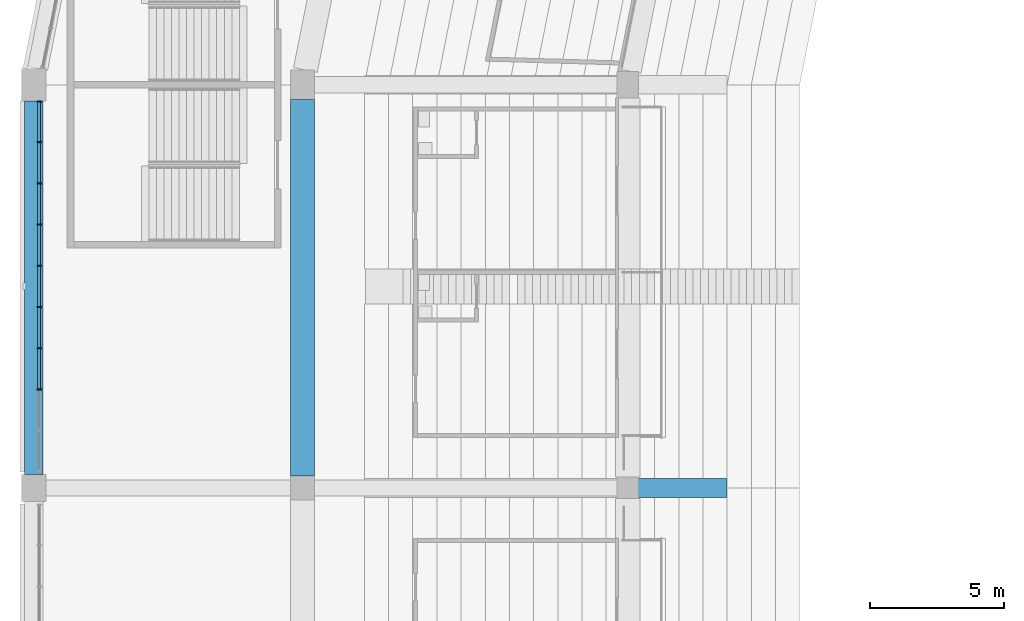
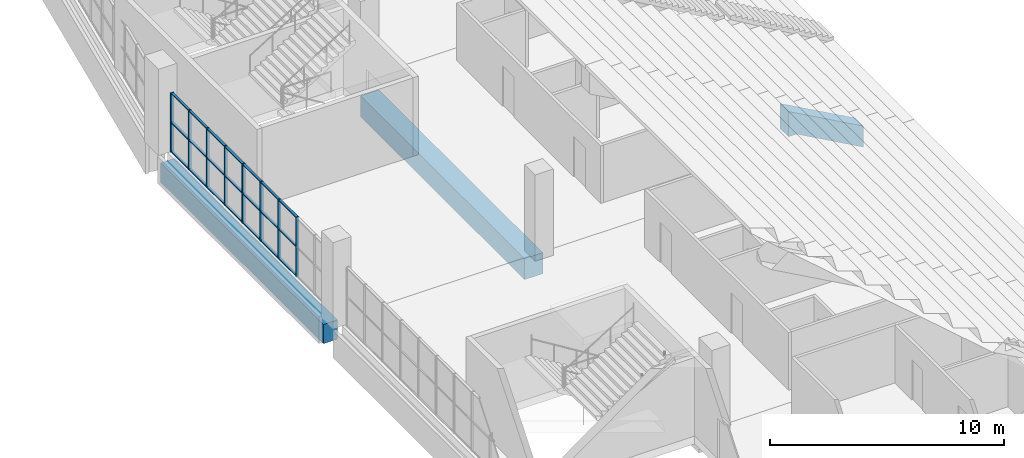
# One storey, part 40 of 249: 29 members, 3 beams, 1 element without a shape of its own.
"""IFC4 building model written with IfcOpenShell, lengths in metres."""

from ifc_helpers import new_model, si_unit, direction, frame, origin, origin_2d, place, context, subcontext, project, spatial, polyline, rectangle, outline, extrude, material, material_profile, profile_set, type_object, element, aggregate, save


model = new_model("IFC4")

# Units and contexts
model_context = context("Model", 3, precision=1e-05, world=origin(), true_north=direction((0.0, 1.0)))
body_context = subcontext(model_context, "Body", "Model", "MODEL_VIEW")
ifc_project = project(units=[si_unit("LENGTHUNIT", "METRE"), si_unit("AREAUNIT", "SQUARE_METRE"), si_unit("VOLUMEUNIT", "CUBIC_METRE"), si_unit("PLANEANGLEUNIT", "RADIAN"), si_unit("MASSUNIT", "GRAM", prefix="KILO")], contexts=[model_context])

# Site, building, storey
site_placement = place(None, origin())
site = spatial("IfcSite", under=ifc_project, at=site_placement, CompositionType="ELEMENT")
building_placement = place(site_placement, origin())
building = spatial("IfcBuilding", under=site, at=building_placement, Name="Ogive Plaza Stadium", CompositionType="ELEMENT")
storey_placement = place(building_placement, frame((0.0, 0.0, 13.5)))
storey = spatial("IfcBuildingStorey", under=building, at=storey_placement, Name="L03", CompositionType="ELEMENT", Elevation=13.5)

# Curtain wall, members
ifc_material_1 = material(Name="Bronze-anodised aluminium with laminated glass", Category="aluminium")
curtain_wall_type = type_object("IfcCurtainWallType", Name="Lancet curtain wall", PredefinedType="NOTDEFINED", material=ifc_material_1)
curtain_wall_placement = place(storey_placement, origin())
curtain_wall = element("IfcCurtainWall", 1, at=curtain_wall_placement, inside=storey, type_object=curtain_wall_type, Name="CURTAIN WALL B27 L03", PredefinedType="NOTDEFINED")
ifc_material_2 = material(Name="Bronze-anodised aluminium", Category="aluminium")
ifc_material_profile_1 = material_profile(ifc_material_2, rectangle(XDim=0.14990234375, YDim=0.050048828125, at=origin_2d()), Name="AL 150x50")
ifc_profile_set_1 = profile_set([ifc_material_profile_1], Name="Bronze-anodised aluminium")
member_type_1 = type_object("IfcMemberType", Name="Curtain wall mullion 50x150", PredefinedType="MULLION", material=ifc_profile_set_1)
member_1_placement = place(storey_placement, frame((-83.800048828125, 41.166748046875, 0.0), z_axis=(0.0, 0.0, 1.0), x_axis=(-1.0, 0.0, 0.0)))
member_1 = element("IfcMember", 2, at=member_1_placement, type_object=member_type_1, Name="CW-B27-L03 mullion 3", PredefinedType="MULLION", context=body_context, shape_type="SweptSolid", body=[
    extrude(rectangle(XDim=0.14990234375, YDim=0.050048828125, at=origin_2d()), origin(), (0.0, 0.0, 1.0), 3.090087890625),
])
member_2_placement = place(storey_placement, frame((-83.800048828125, 42.699951171875, 0.0), z_axis=(0.0, 0.0, 1.0), x_axis=(-1.0, 0.0, 0.0)))
member_2 = element("IfcMember", 3, at=member_2_placement, type_object=member_type_1, Name="CW-B27-L03 mullion 4", PredefinedType="MULLION", context=body_context, shape_type="SweptSolid", body=[
    extrude(rectangle(XDim=0.14990234375, YDim=0.050048828125, at=origin_2d()), origin(), (0.0, 0.0, 1.0), 3.090087890625),
])
member_3_placement = place(storey_placement, frame((-83.800048828125, 44.2333984375, 0.0), z_axis=(0.0, 0.0, 1.0), x_axis=(-1.0, 0.0, 0.0)))
member_3 = element("IfcMember", 4, at=member_3_placement, type_object=member_type_1, Name="CW-B27-L03 mullion 5", PredefinedType="MULLION", context=body_context, shape_type="SweptSolid", body=[
    extrude(rectangle(XDim=0.14990234375, YDim=0.050048828125, at=origin_2d()), origin(), (0.0, 0.0, 1.0), 3.090087890625),
])
member_4_placement = place(storey_placement, frame((-83.800048828125, 45.7666015625, 0.0), z_axis=(0.0, 0.0, 1.0), x_axis=(-1.0, 0.0, 0.0)))
member_4 = element("IfcMember", 5, at=member_4_placement, type_object=member_type_1, Name="CW-B27-L03 mullion 6", PredefinedType="MULLION", context=body_context, shape_type="SweptSolid", body=[
    extrude(rectangle(XDim=0.14990234375, YDim=0.050048828125, at=origin_2d()), origin(), (0.0, 0.0, 1.0), 3.090087890625),
])
member_5_placement = place(storey_placement, frame((-83.800048828125, 47.300048828125, 0.0), z_axis=(0.0, 0.0, 1.0), x_axis=(-1.0, 0.0, 0.0)))
member_5 = element("IfcMember", 6, at=member_5_placement, type_object=member_type_1, Name="CW-B27-L03 mullion 7", PredefinedType="MULLION", context=body_context, shape_type="SweptSolid", body=[
    extrude(rectangle(XDim=0.14990234375, YDim=0.050048828125, at=origin_2d()), origin(), (0.0, 0.0, 1.0), 3.090087890625),
])
member_6_placement = place(storey_placement, frame((-83.800048828125, 48.833251953125, 0.0), z_axis=(0.0, 0.0, 1.0), x_axis=(-1.0, 0.0, 0.0)))
member_6 = element("IfcMember", 7, at=member_6_placement, type_object=member_type_1, Name="CW-B27-L03 mullion 8", PredefinedType="MULLION", context=body_context, shape_type="SweptSolid", body=[
    extrude(rectangle(XDim=0.14990234375, YDim=0.050048828125, at=origin_2d()), origin(), (0.0, 0.0, 1.0), 3.090087890625),
])
member_7_placement = place(storey_placement, frame((-83.800048828125, 50.36669921875, 0.0), z_axis=(0.0, 0.0, 1.0), x_axis=(-1.0, 0.0, 0.0)))
member_7 = element("IfcMember", 8, at=member_7_placement, type_object=member_type_1, Name="CW-B27-L03 mullion 9", PredefinedType="MULLION", context=body_context, shape_type="SweptSolid", body=[
    extrude(rectangle(XDim=0.14990234375, YDim=0.050048828125, at=origin_2d()), origin(), (0.0, 0.0, 1.0), 3.090087890625),
])
member_8_placement = place(storey_placement, frame((-83.800048828125, 51.875, 0.0), z_axis=(0.0, 0.0, 1.0), x_axis=(-1.0, 0.0, 0.0)))
member_8 = element("IfcMember", 9, at=member_8_placement, type_object=member_type_1, Name="CW-B27-L03 mullion 10", PredefinedType="MULLION", context=body_context, shape_type="SweptSolid", body=[
    extrude(rectangle(XDim=0.14990234375, YDim=0.050048828125, at=origin_2d()), origin(), (0.0, 0.0, 1.0), 3.090087890625),
])
ifc_material_3 = material(Name="Bronze-anodised aluminium", Category="aluminium")
ifc_material_profile_2 = material_profile(ifc_material_3, rectangle(XDim=0.1201171875, YDim=0.050048828125, at=origin_2d()), Name="AL 120x50")
ifc_profile_set_2 = profile_set([ifc_material_profile_2], Name="Bronze-anodised aluminium")
member_type_2 = type_object("IfcMemberType", Name="Curtain wall transom 50x120", PredefinedType="USERDEFINED", material=ifc_profile_set_2)
member_9_placement = place(storey_placement, frame((-83.800048828125, 41.191650390625, 0.02490234375), z_axis=(0.0, 1.0, 0.0), x_axis=(-1.0, 0.0, 0.0)))
member_9 = element("IfcMember", 10, at=member_9_placement, type_object=member_type_2, Name="CW-B27-L03 transom 3.1", ObjectType="TRANSOM", PredefinedType="USERDEFINED", context=body_context, shape_type="SweptSolid", body=[
    extrude(rectangle(XDim=0.1201171875, YDim=0.050048828125, at=origin_2d()), origin(), (0.0, 0.0, 1.0), 1.4833984375),
])
member_10_placement = place(storey_placement, frame((-83.800048828125, 41.191650390625, 1.544921875), z_axis=(0.0, 1.0, 0.0), x_axis=(-1.0, 0.0, 0.0)))
member_10 = element("IfcMember", 11, at=member_10_placement, type_object=member_type_2, Name="CW-B27-L03 transom 3.2", ObjectType="TRANSOM", PredefinedType="USERDEFINED", context=body_context, shape_type="SweptSolid", body=[
    extrude(rectangle(XDim=0.1201171875, YDim=0.050048828125, at=origin_2d()), origin(), (0.0, 0.0, 1.0), 1.4833984375),
])
member_11_placement = place(storey_placement, frame((-83.800048828125, 41.191650390625, 3.06494140625), z_axis=(0.0, 1.0, 0.0), x_axis=(-1.0, 0.0, 0.0)))
member_11 = element("IfcMember", 12, at=member_11_placement, type_object=member_type_2, Name="CW-B27-L03 transom 3.3", ObjectType="TRANSOM", PredefinedType="USERDEFINED", context=body_context, shape_type="SweptSolid", body=[
    extrude(rectangle(XDim=0.1201171875, YDim=0.050048828125, at=origin_2d()), origin(), (0.0, 0.0, 1.0), 1.4833984375),
])
member_12_placement = place(storey_placement, frame((-83.800048828125, 42.72509765625, 0.02490234375), z_axis=(0.0, 1.0, 0.0), x_axis=(-1.0, 0.0, 0.0)))
member_12 = element("IfcMember", 13, at=member_12_placement, type_object=member_type_2, Name="CW-B27-L03 transom 4.1", ObjectType="TRANSOM", PredefinedType="USERDEFINED", context=body_context, shape_type="SweptSolid", body=[
    extrude(rectangle(XDim=0.1201171875, YDim=0.050048828125, at=origin_2d()), origin(), (0.0, 0.0, 1.0), 1.483154296875),
])
member_13_placement = place(storey_placement, frame((-83.800048828125, 42.72509765625, 1.544921875), z_axis=(0.0, 1.0, 0.0), x_axis=(-1.0, 0.0, 0.0)))
member_13 = element("IfcMember", 14, at=member_13_placement, type_object=member_type_2, Name="CW-B27-L03 transom 4.2", ObjectType="TRANSOM", PredefinedType="USERDEFINED", context=body_context, shape_type="SweptSolid", body=[
    extrude(rectangle(XDim=0.1201171875, YDim=0.050048828125, at=origin_2d()), origin(), (0.0, 0.0, 1.0), 1.483154296875),
])
member_14_placement = place(storey_placement, frame((-83.800048828125, 42.72509765625, 3.06494140625), z_axis=(0.0, 1.0, 0.0), x_axis=(-1.0, 0.0, 0.0)))
member_14 = element("IfcMember", 15, at=member_14_placement, type_object=member_type_2, Name="CW-B27-L03 transom 4.3", ObjectType="TRANSOM", PredefinedType="USERDEFINED", context=body_context, shape_type="SweptSolid", body=[
    extrude(rectangle(XDim=0.1201171875, YDim=0.050048828125, at=origin_2d()), origin(), (0.0, 0.0, 1.0), 1.483154296875),
])
member_15_placement = place(storey_placement, frame((-83.800048828125, 44.25830078125, 0.02490234375), z_axis=(0.0, 1.0, 0.0), x_axis=(-1.0, 0.0, 0.0)))
member_15 = element("IfcMember", 16, at=member_15_placement, type_object=member_type_2, Name="CW-B27-L03 transom 5.1", ObjectType="TRANSOM", PredefinedType="USERDEFINED", context=body_context, shape_type="SweptSolid", body=[
    extrude(rectangle(XDim=0.1201171875, YDim=0.050048828125, at=origin_2d()), origin(), (0.0, 0.0, 1.0), 1.4833984375),
])
member_16_placement = place(storey_placement, frame((-83.800048828125, 44.25830078125, 1.544921875), z_axis=(0.0, 1.0, 0.0), x_axis=(-1.0, 0.0, 0.0)))
member_16 = element("IfcMember", 17, at=member_16_placement, type_object=member_type_2, Name="CW-B27-L03 transom 5.2", ObjectType="TRANSOM", PredefinedType="USERDEFINED", context=body_context, shape_type="SweptSolid", body=[
    extrude(rectangle(XDim=0.1201171875, YDim=0.050048828125, at=origin_2d()), origin(), (0.0, 0.0, 1.0), 1.4833984375),
])
member_17_placement = place(storey_placement, frame((-83.800048828125, 44.25830078125, 3.06494140625), z_axis=(0.0, 1.0, 0.0), x_axis=(-1.0, 0.0, 0.0)))
member_17 = element("IfcMember", 18, at=member_17_placement, type_object=member_type_2, Name="CW-B27-L03 transom 5.3", ObjectType="TRANSOM", PredefinedType="USERDEFINED", context=body_context, shape_type="SweptSolid", body=[
    extrude(rectangle(XDim=0.1201171875, YDim=0.050048828125, at=origin_2d()), origin(), (0.0, 0.0, 1.0), 1.4833984375),
])
member_18_placement = place(storey_placement, frame((-83.800048828125, 45.791748046875, 0.02490234375), z_axis=(0.0, 1.0, 0.0), x_axis=(-1.0, 0.0, 0.0)))
member_18 = element("IfcMember", 19, at=member_18_placement, type_object=member_type_2, Name="CW-B27-L03 transom 6.1", ObjectType="TRANSOM", PredefinedType="USERDEFINED", context=body_context, shape_type="SweptSolid", body=[
    extrude(rectangle(XDim=0.1201171875, YDim=0.050048828125, at=origin_2d()), origin(), (0.0, 0.0, 1.0), 1.483154296875),
])
member_19_placement = place(storey_placement, frame((-83.800048828125, 45.791748046875, 1.544921875), z_axis=(0.0, 1.0, 0.0), x_axis=(-1.0, 0.0, 0.0)))
member_19 = element("IfcMember", 20, at=member_19_placement, type_object=member_type_2, Name="CW-B27-L03 transom 6.2", ObjectType="TRANSOM", PredefinedType="USERDEFINED", context=body_context, shape_type="SweptSolid", body=[
    extrude(rectangle(XDim=0.1201171875, YDim=0.050048828125, at=origin_2d()), origin(), (0.0, 0.0, 1.0), 1.483154296875),
])
member_20_placement = place(storey_placement, frame((-83.800048828125, 45.791748046875, 3.06494140625), z_axis=(0.0, 1.0, 0.0), x_axis=(-1.0, 0.0, 0.0)))
member_20 = element("IfcMember", 21, at=member_20_placement, type_object=member_type_2, Name="CW-B27-L03 transom 6.3", ObjectType="TRANSOM", PredefinedType="USERDEFINED", context=body_context, shape_type="SweptSolid", body=[
    extrude(rectangle(XDim=0.1201171875, YDim=0.050048828125, at=origin_2d()), origin(), (0.0, 0.0, 1.0), 1.483154296875),
])
member_21_placement = place(storey_placement, frame((-83.800048828125, 47.324951171875, 0.02490234375), z_axis=(0.0, 1.0, 0.0), x_axis=(-1.0, 0.0, 0.0)))
member_21 = element("IfcMember", 22, at=member_21_placement, type_object=member_type_2, Name="CW-B27-L03 transom 7.1", ObjectType="TRANSOM", PredefinedType="USERDEFINED", context=body_context, shape_type="SweptSolid", body=[
    extrude(rectangle(XDim=0.1201171875, YDim=0.050048828125, at=origin_2d()), origin(), (0.0, 0.0, 1.0), 1.4833984375),
])
member_22_placement = place(storey_placement, frame((-83.800048828125, 47.324951171875, 1.544921875), z_axis=(0.0, 1.0, 0.0), x_axis=(-1.0, 0.0, 0.0)))
member_22 = element("IfcMember", 23, at=member_22_placement, type_object=member_type_2, Name="CW-B27-L03 transom 7.2", ObjectType="TRANSOM", PredefinedType="USERDEFINED", context=body_context, shape_type="SweptSolid", body=[
    extrude(rectangle(XDim=0.1201171875, YDim=0.050048828125, at=origin_2d()), origin(), (0.0, 0.0, 1.0), 1.4833984375),
])
member_23_placement = place(storey_placement, frame((-83.800048828125, 47.324951171875, 3.06494140625), z_axis=(0.0, 1.0, 0.0), x_axis=(-1.0, 0.0, 0.0)))
member_23 = element("IfcMember", 24, at=member_23_placement, type_object=member_type_2, Name="CW-B27-L03 transom 7.3", ObjectType="TRANSOM", PredefinedType="USERDEFINED", context=body_context, shape_type="SweptSolid", body=[
    extrude(rectangle(XDim=0.1201171875, YDim=0.050048828125, at=origin_2d()), origin(), (0.0, 0.0, 1.0), 1.4833984375),
])
member_24_placement = place(storey_placement, frame((-83.800048828125, 48.8583984375, 0.02490234375), z_axis=(0.0, 1.0, 0.0), x_axis=(-1.0, 0.0, 0.0)))
member_24 = element("IfcMember", 25, at=member_24_placement, type_object=member_type_2, Name="CW-B27-L03 transom 8.1", ObjectType="TRANSOM", PredefinedType="USERDEFINED", context=body_context, shape_type="SweptSolid", body=[
    extrude(rectangle(XDim=0.1201171875, YDim=0.050048828125, at=origin_2d()), origin(), (0.0, 0.0, 1.0), 1.483154296875),
])
member_25_placement = place(storey_placement, frame((-83.800048828125, 48.8583984375, 1.544921875), z_axis=(0.0, 1.0, 0.0), x_axis=(-1.0, 0.0, 0.0)))
member_25 = element("IfcMember", 26, at=member_25_placement, type_object=member_type_2, Name="CW-B27-L03 transom 8.2", ObjectType="TRANSOM", PredefinedType="USERDEFINED", context=body_context, shape_type="SweptSolid", body=[
    extrude(rectangle(XDim=0.1201171875, YDim=0.050048828125, at=origin_2d()), origin(), (0.0, 0.0, 1.0), 1.483154296875),
])
member_26_placement = place(storey_placement, frame((-83.800048828125, 48.8583984375, 3.06494140625), z_axis=(0.0, 1.0, 0.0), x_axis=(-1.0, 0.0, 0.0)))
member_26 = element("IfcMember", 27, at=member_26_placement, type_object=member_type_2, Name="CW-B27-L03 transom 8.3", ObjectType="TRANSOM", PredefinedType="USERDEFINED", context=body_context, shape_type="SweptSolid", body=[
    extrude(rectangle(XDim=0.1201171875, YDim=0.050048828125, at=origin_2d()), origin(), (0.0, 0.0, 1.0), 1.483154296875),
])
member_27_placement = place(storey_placement, frame((-83.800048828125, 50.3916015625, 0.02490234375), z_axis=(0.0, 1.0, 0.0), x_axis=(-1.0, 0.0, 0.0)))
member_27 = element("IfcMember", 28, at=member_27_placement, type_object=member_type_2, Name="CW-B27-L03 transom 9.1", ObjectType="TRANSOM", PredefinedType="USERDEFINED", context=body_context, shape_type="SweptSolid", body=[
    extrude(rectangle(XDim=0.1201171875, YDim=0.050048828125, at=origin_2d()), origin(), (0.0, 0.0, 1.0), 1.45849609375),
])
member_28_placement = place(storey_placement, frame((-83.800048828125, 50.3916015625, 1.544921875), z_axis=(0.0, 1.0, 0.0), x_axis=(-1.0, 0.0, 0.0)))
member_28 = element("IfcMember", 29, at=member_28_placement, type_object=member_type_2, Name="CW-B27-L03 transom 9.2", ObjectType="TRANSOM", PredefinedType="USERDEFINED", context=body_context, shape_type="SweptSolid", body=[
    extrude(rectangle(XDim=0.1201171875, YDim=0.050048828125, at=origin_2d()), origin(), (0.0, 0.0, 1.0), 1.45849609375),
])
member_29_placement = place(storey_placement, frame((-83.800048828125, 50.3916015625, 3.06494140625), z_axis=(0.0, 1.0, 0.0), x_axis=(-1.0, 0.0, 0.0)))
member_29 = element("IfcMember", 30, at=member_29_placement, type_object=member_type_2, Name="CW-B27-L03 transom 9.3", ObjectType="TRANSOM", PredefinedType="USERDEFINED", context=body_context, shape_type="SweptSolid", body=[
    extrude(rectangle(XDim=0.1201171875, YDim=0.050048828125, at=origin_2d()), origin(), (0.0, 0.0, 1.0), 1.45849609375),
])
aggregate(curtain_wall, [member_1, member_2, member_3, member_4, member_5, member_6, member_7, member_8, member_9, member_10, member_11, member_12, member_13, member_14, member_15, member_16, member_17, member_18, member_19, member_20, member_21, member_22, member_23, member_24, member_25, member_26, member_27, member_28, member_29])

# Beams
ifc_material_4 = material(Name="Concrete C45/55 precast", Category="concrete")
ifc_material_profile_3 = material_profile(ifc_material_4, rectangle(XDim=0.699951171875, YDim=1.10009765625, at=origin_2d()), Name="RC 700x1100")
ifc_profile_set_3 = profile_set([ifc_material_profile_3], Name="Concrete C45/55 precast")
beam_type_1 = type_object("IfcBeamType", Name="Precast raker UT cantilever 700x1100", PredefinedType="USERDEFINED", material=ifc_profile_set_3)
beam_1_placement = place(storey_placement, frame((-34.0, 37.5, -13.5), z_axis=(0.0, 0.0, 1.0), x_axis=(-1.0, 0.0, 0.0)))
element("IfcBeam", 31, at=beam_1_placement, inside=storey, type_object=beam_type_1, Name="RAKER UT CANTILEVER R27", ObjectType="RAKER", PredefinedType="USERDEFINED", context=body_context, shape_type="SweptSolid", body=[
    extrude(outline(polyline([(24.199951171875, 13.699951171875), (27.5, 15.533203125), (27.89990234375, 15.533203125), (27.89990234375, 16.855712890625), (24.199951171875, 14.800048828125), (24.199951171875, 13.699951171875)])), frame((0.0, 0.35009765625, 0.0), z_axis=(0.0, -1.0, 0.0), x_axis=(1.0, 0.0, 0.0)), (0.0, 0.0, 1.0), 0.699951171875),
])
ifc_material_5 = material(Name="Concrete C40/50", Category="concrete")
ifc_material_profile_4 = material_profile(ifc_material_5, rectangle(XDim=0.89990234375, YDim=1.10009765625, at=origin_2d()), Name="RC 900x1100")
ifc_profile_set_4 = profile_set([ifc_material_profile_4], Name="Concrete C40/50")
beam_type_2 = type_object("IfcBeamType", Name="RC ring beam 900x1100", PredefinedType="BEAM", material=ifc_profile_set_4)
beam_2_placement = place(storey_placement, frame((-74.0, 37.949951171875, -0.9599609375), z_axis=(0.0, 1.0, 0.0), x_axis=(-1.0, 0.0, 0.0)))
element("IfcBeam", 32, at=beam_2_placement, inside=storey, type_object=beam_type_2, Name="Ring beam F4 L03 B27", PredefinedType="BEAM", context=body_context, shape_type="SweptSolid", body=[
    extrude(rectangle(XDim=0.89990234375, YDim=1.10009765625, at=origin_2d()), origin(), (0.0, 0.0, 1.0), 14.0),
])
ifc_material_6 = material(Name="Concrete C40/50", Category="concrete")
ifc_material_profile_5 = material_profile(ifc_material_6, rectangle(XDim=0.699951171875, YDim=1.0, at=origin_2d()), Name="RC 700x1000")
ifc_profile_set_5 = profile_set([ifc_material_profile_5], Name="Concrete C40/50")
beam_type_3 = type_object("IfcBeamType", Name="RC spandrel beam 700x1000", PredefinedType="SPANDREL", material=ifc_profile_set_5)
beam_3_placement = place(storey_placement, frame((-84.0, 38.0, -0.909912109375), z_axis=(0.0, 1.0, 0.0), x_axis=(-1.0, 0.0, 0.0)))
element("IfcBeam", 33, at=beam_3_placement, inside=storey, type_object=beam_type_3, Name="Ring beam F5 L03 B27", PredefinedType="SPANDREL", context=body_context, shape_type="SweptSolid", body=[
    extrude(rectangle(XDim=0.699951171875, YDim=1.0, at=origin_2d()), origin(), (0.0, 0.0, 1.0), 13.89990234375),
])

save(model, "model.ifc")
